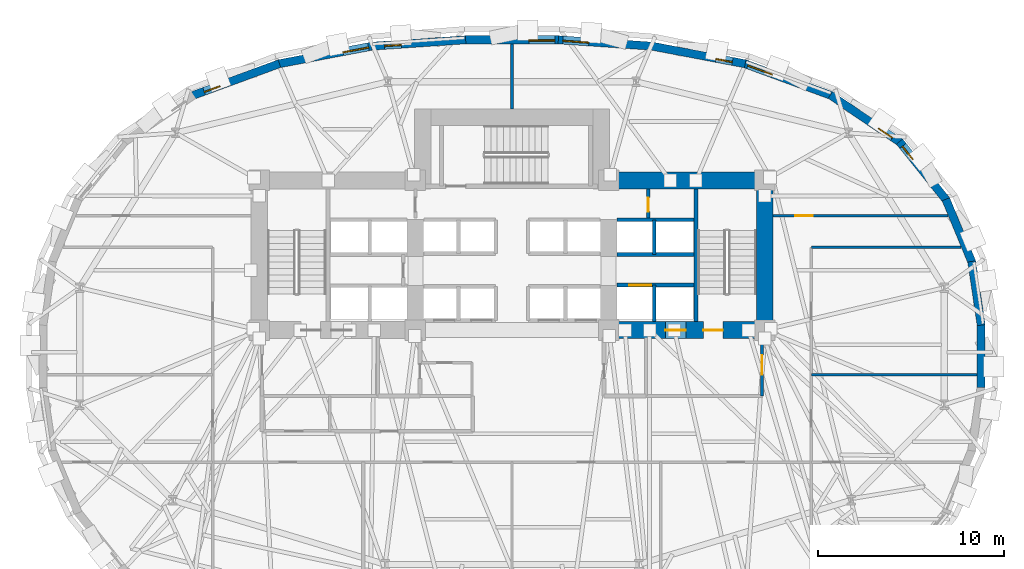
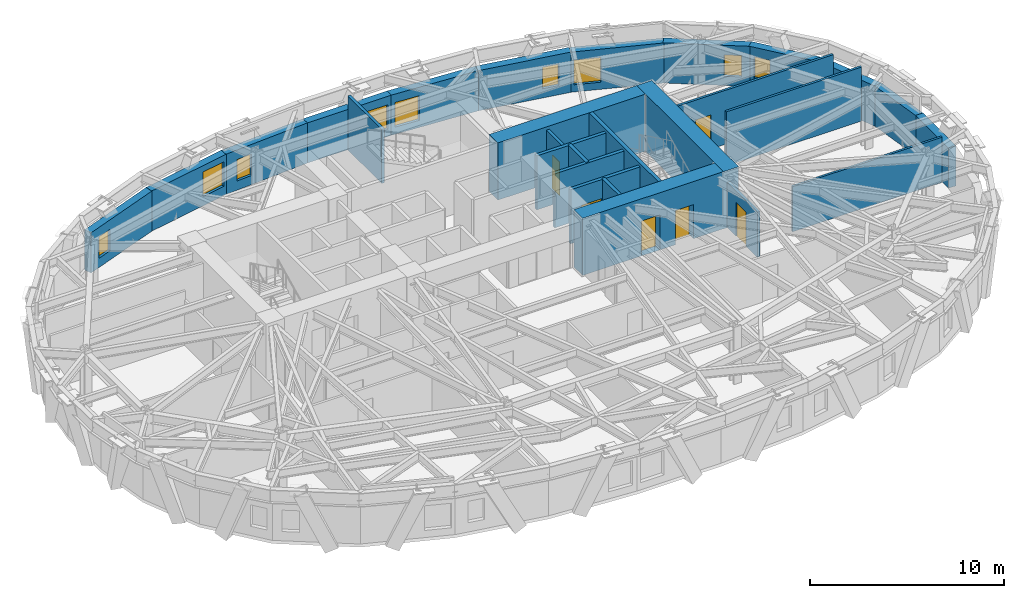
# One storey, part 8 of 13: 27 walls, 9 windows, 6 doors, 15 openings.
"""IFC4 building model written with IfcOpenShell, lengths in metres."""

import ifcopenshell
import ifcopenshell.guid

model = None  # the IFC model being written
_history = None  # IfcOwnerHistory: only IFC2X3 demands one
_inside = {}  # id of a spatial element -> (the spatial element, [elements in it])
_under = {}  # id of a project, library or spatial element -> (it, [spatial elements below it])
_declared = {}  # id of a project -> (the project, [libraries it declares])
_typed = {}  # id of a type object -> (the type object, [elements of that type])
_made_of = {}  # id of a material, layer set ... -> (it, [elements and type objects made of it])


def new_model(schema):
    """Start an empty IFC model of exactly this schema.

    Asked for "IFC4X3", IfcOpenShell would pick the latest addendum, in which some entities
    have other attributes; the version numbers below select the first issue.
    IFC2X3 requires an IfcOwnerHistory on every rooted entity: one is made here for all.
    """
    global model, _history
    if schema == "IFC4X3":
        model = ifcopenshell.file(schema_version=(4, 3, 0, 0))
    else:
        model = ifcopenshell.file(schema=schema)
    _inside.clear()
    _under.clear()
    _declared.clear()
    _typed.clear()
    _made_of.clear()
    _history = None
    if model.schema == "IFC2X3":
        org = make("IfcOrganization", Name="unknown")
        user = make(
            "IfcPersonAndOrganization",
            ThePerson=make("IfcPerson", FamilyName="unknown"),
            TheOrganization=org,
        )
        app = make(
            "IfcApplication",
            ApplicationDeveloper=org,
            Version="unknown",
            ApplicationFullName="unknown",
            ApplicationIdentifier="unknown",
        )
        _history = make(
            "IfcOwnerHistory",
            OwningUser=user,
            OwningApplication=app,
            ChangeAction="ADDED",
            CreationDate=0,
        )
    return model


def make(cls, **values):
    """One entity of the class cls with the attributes given. An attribute that is None is left unset."""
    return model.create_entity(
        cls, **{name: value for name, value in values.items() if value is not None}
    )


def rooted(cls, **values):
    """An entity with a GlobalId (a new one), such as an element, a storey or a relation."""
    return make(cls, GlobalId=ifcopenshell.guid.new(), OwnerHistory=_history, **values)


def si_unit(unit_type, name, prefix=None):
    """IfcSIUnit, for example si_unit("LENGTHUNIT", "METRE", prefix="MILLI")."""
    return make("IfcSIUnit", UnitType=unit_type, Prefix=prefix, Name=name)


def assignment(units):
    """IfcUnitAssignment: the units of a project."""
    return None if units is None else make("IfcUnitAssignment", Units=units)


def point(xyz):
    """IfcCartesianPoint."""
    return None if xyz is None else make("IfcCartesianPoint", Coordinates=xyz)


def direction(xyz):
    """IfcDirection."""
    return None if xyz is None else make("IfcDirection", DirectionRatios=xyz)


def frame(location, z_axis=None, x_axis=None):
    """IfcAxis2Placement3D, a coordinate frame: its origin and axes. An axis left out is left unset."""
    return make(
        "IfcAxis2Placement3D",
        Location=point(location),
        Axis=direction(z_axis),
        RefDirection=direction(x_axis),
    )


def frame_2d(location, x_axis=None):
    """IfcAxis2Placement2D, a coordinate frame in the plane: its origin and x axis."""
    return make(
        "IfcAxis2Placement2D", Location=point(location), RefDirection=direction(x_axis)
    )


def origin():
    """The frame at (0, 0, 0) with its axes left unset."""
    return frame((0.0, 0.0, 0.0))


def place(relative_to, where):
    """IfcLocalPlacement: puts the frame where relative to a parent placement (None: the world)."""
    return make(
        "IfcLocalPlacement", PlacementRelTo=relative_to, RelativePlacement=where
    )


def context(
    kind, dimensions, precision=None, world=None, true_north=None, identifier=None
):
    """IfcGeometricRepresentationContext, for example the 3D "Model" context."""
    return make(
        "IfcGeometricRepresentationContext",
        ContextIdentifier=identifier,
        ContextType=kind,
        CoordinateSpaceDimension=dimensions,
        Precision=precision,
        WorldCoordinateSystem=world,
        TrueNorth=true_north,
    )


def subcontext(parent, identifier, kind, view, scale=None):
    """IfcGeometricRepresentationSubContext, for example "Body" below "Model"."""
    return make(
        "IfcGeometricRepresentationSubContext",
        ContextIdentifier=identifier,
        ContextType=kind,
        ParentContext=parent,
        TargetScale=scale,
        TargetView=view,
    )


def project(units=None, contexts=None):
    """IfcProject with its units and contexts."""
    return rooted(
        "IfcProject",
        Name="project",
        RepresentationContexts=contexts,
        UnitsInContext=assignment(units),
    )


def spatial(cls, under=None, at=None, **own):
    """A site, building, storey or space (cls), placed at a placement, below another one or the project."""
    s = rooted(cls, ObjectPlacement=at, **own)
    if under is not None:
        _under.setdefault(under.id(), (under, []))[1].append(s)
    return s


def profile(cls, at=None, kind="AREA", **sizes):
    """A parametric profile (cls). Its sizes go by their IFC names, for example OverallWidth=200.0."""
    return make(cls, ProfileType=kind, Position=at, **sizes)


def rectangle(**sizes):
    """IfcRectangleProfileDef."""
    return profile("IfcRectangleProfileDef", **sizes)


def extrude(swept, where, along, depth):
    """IfcExtrudedAreaSolid: the profile swept, set in the frame where, extruded along a direction by depth."""
    return make(
        "IfcExtrudedAreaSolid",
        SweptArea=swept,
        Position=where,
        ExtrudedDirection=direction(along),
        Depth=depth,
    )


def shape(context_of_items, identifier, shape_type, items):
    """IfcShapeRepresentation: the items that make up one representation, for example the "Body"."""
    return make(
        "IfcShapeRepresentation",
        ContextOfItems=context_of_items,
        RepresentationIdentifier=identifier,
        RepresentationType=shape_type,
        Items=items,
    )


def material(Name=None, Category=None):
    """IfcMaterial."""
    return make("IfcMaterial", Name=Name, Category=Category)


def layer(
    of_material, thickness, ventilated=None, Name=None, Category=None, Priority=None
):
    """IfcMaterialLayer: one layer of a wall or slab, of a material (None: an air gap)."""
    return make(
        "IfcMaterialLayer",
        Material=of_material,
        LayerThickness=thickness,
        IsVentilated=ventilated,
        Name=Name,
        Category=Category,
        Priority=Priority,
    )


def layer_set(layers, Name=None):
    """IfcMaterialLayerSet."""
    return make("IfcMaterialLayerSet", MaterialLayers=layers, LayerSetName=Name)


def made_of(thing, what):
    """Note that an element or type object is made of a material, layer set ...; save() writes the relation."""
    if what is not None:
        _made_of.setdefault(what.id(), (what, []))[1].append(thing)
    return thing


def type_object(cls, material=None, **own):
    """A type object (cls), such as IfcWallType, which elements share."""
    return made_of(rooted(cls, **own), material)


def element(
    cls,
    number,
    at=None,
    inside=None,
    cuts=None,
    type_object=None,
    material=None,
    context=None,
    identifier="Body",
    shape_type=None,
    held_by="IfcProductDefinitionShape",
    body=None,
    shapes=None,
    **own,
):
    """One element of the class cls, such as IfcWall. Its Tag is "e" and its number.

    at: its placement. inside: the storey or other place that contains it. cuts: it is an
    opening in that element (IfcRelVoidsElement). A single representation is given by context,
    identifier, shape_type and body (its items); several are given by shapes. held_by: the class
    of the entity that holds the representations. save() writes the other relations.
    """
    e = rooted(cls, Tag="e%d" % number, ObjectPlacement=at, **own)
    if body is not None:
        shapes = [shape(context, identifier, shape_type, body)]
    if shapes is not None:
        e.Representation = make(held_by, Representations=shapes)
    if inside is not None:
        _inside.setdefault(inside.id(), (inside, []))[1].append(e)
    if cuts is not None:
        rooted(
            "IfcRelVoidsElement", RelatingBuildingElement=cuts, RelatedOpeningElement=e
        )
    if type_object is not None:
        _typed.setdefault(type_object.id(), (type_object, []))[1].append(e)
    return made_of(e, material)


def fill(opening, filler):
    """IfcRelFillsElement: the door or window that sits in an opening."""
    return rooted(
        "IfcRelFillsElement",
        RelatingOpeningElement=opening,
        RelatedBuildingElement=filler,
    )


def aggregate(whole, parts):
    """IfcRelAggregates: a whole, such as a stair, and the parts it consists of."""
    return rooted("IfcRelAggregates", RelatingObject=whole, RelatedObjects=parts)


def save(model, path):
    """Write the relations noted so far, then the file.

    IfcRelAggregates (storeys below a building ...), IfcRelContainedInSpatialStructure (elements
    in a storey), IfcRelDefinesByType, IfcRelAssociatesMaterial and IfcRelDeclares: one each for
    every whole, place, type object, material and project.
    """
    for whole, parts in _under.values():
        aggregate(whole, parts)
    for where, things in _inside.values():
        rooted(
            "IfcRelContainedInSpatialStructure",
            RelatedElements=things,
            RelatingStructure=where,
        )
    for kind, things in _typed.values():
        rooted("IfcRelDefinesByType", RelatedObjects=things, RelatingType=kind)
    for what, things in _made_of.values():
        rooted("IfcRelAssociatesMaterial", RelatedObjects=things, RelatingMaterial=what)
    for by, libraries in _declared.values():
        rooted("IfcRelDeclares", RelatingContext=by, RelatedDefinitions=libraries)
    model.write(path)


model = new_model("IFC4")

# Units and contexts
model_context = context("Model", 3, precision=1e-05, world=origin(), true_north=direction((0.0, 1.0)))
body_context = subcontext(model_context, "Body", "Model", "MODEL_VIEW")
ifc_project = project(units=[si_unit("LENGTHUNIT", "METRE"), si_unit("AREAUNIT", "SQUARE_METRE"), si_unit("VOLUMEUNIT", "CUBIC_METRE"), si_unit("PLANEANGLEUNIT", "RADIAN"), si_unit("MASSUNIT", "GRAM", prefix="KILO")], contexts=[model_context])

# Site, building, storey
site_placement = place(None, origin())
site = spatial("IfcSite", under=ifc_project, at=site_placement, CompositionType="ELEMENT")
building_placement = place(site_placement, origin())
building = spatial("IfcBuilding", under=site, at=building_placement, Name="Keldmark Tower", CompositionType="ELEMENT")
storey_placement = place(building_placement, frame((0.0, 0.0, 30.60009765625)))
storey = spatial("IfcBuildingStorey", under=building, at=storey_placement, Name="L07", CompositionType="ELEMENT", Elevation=30.60009765625)

# Wall, opening, door
ifc_material_1 = material(Name="Acoustic Double-Layer Gypsum Corridor Partition", Category="gypsum")
ifc_layer_1 = layer(ifc_material_1, 0.139892578125)
ifc_layer_set_1 = layer_set([ifc_layer_1], Name="Acoustic Double-Layer Gypsum Corridor Partition")
wall_type_1 = type_object("IfcWallType", Name="Acoustic Corridor Partition 140 mm", PredefinedType="PARTITIONING", material=ifc_layer_set_1)
wall_1_placement = place(storey_placement, frame((14.050048828125, 7.550048828125, 0.0), z_axis=(0.0, 0.0, 1.0), x_axis=(1.0, 0.0, 0.0)))
wall_1 = element("IfcWall", 1, at=wall_1_placement, inside=storey, type_object=wall_type_1, Name="L07 Acoustic Corridor Partition 140 mm COR-EN-CAP", PredefinedType="PARTITIONING", context=body_context, shape_type="SweptSolid", body=[
    extrude(rectangle(XDim=9.412841796875, YDim=0.139892578125, at=frame_2d((4.70654296875, 0.0))), origin(), (0.0, 0.0, 1.0), 3.39990234375),
])
opening_1_placement = place(wall_1_placement, frame((1.199951171875, 0.0, 0.0)))
opening_1 = element("IfcOpeningElement", 2, at=opening_1_placement, cuts=wall_1, Name="Opening D-EX092", PredefinedType="OPENING", context=body_context, shape_type="SweptSolid", body=[
    extrude(rectangle(XDim=0.919921875, YDim=2.14990234375, at=frame_2d((0.4599609375, 1.074951171875))), frame((0.0, 0.079833984375, 0.0), z_axis=(0.0, -1.0, 0.0), x_axis=(1.0, 0.0, 0.0)), (0.0, 0.0, 1.0), 0.159912109375),
])
ifc_material_2 = material(Name="Flush American Ash Executive Office Door", Category="wood")
door_type_1 = type_object("IfcDoorType", Name="Executive Office Door 920x2150", OperationType="NOTDEFINED", PredefinedType="DOOR", material=ifc_material_2)
door_1_placement = place(opening_1_placement, origin())
door_1 = element("IfcDoor", 3, at=door_1_placement, inside=storey, type_object=door_type_1, Name="L07 Executive Office Door 920x2150 D-NRNE-L07", OperationType="SINGLE_SWING_RIGHT", OverallHeight=2.14990234375, OverallWidth=0.919921875, PredefinedType="DOOR", context=body_context, shape_type="SweptSolid", body=[
    extrude(rectangle(XDim=0.919921875, YDim=2.14990234375, at=frame_2d((0.4599609375, 1.074951171875))), frame((0.0, 0.02490234375, 0.0), z_axis=(0.0, -1.0, 0.0), x_axis=(1.0, 0.0, 0.0)), (0.0, 0.0, 1.0), 0.050048828125),
])
fill(opening_1, door_1)

# Walls
wall_2_placement = place(storey_placement, frame((16.10009765625, 5.85009765625, 0.0), z_axis=(0.0, 0.0, 1.0), x_axis=(1.0, 0.0, 0.0)))
element("IfcWall", 4, at=wall_2_placement, inside=storey, type_object=wall_type_1, Name="L07 Acoustic Corridor Partition 140 mm COR-EA-S", PredefinedType="PARTITIONING", context=body_context, shape_type="SweptSolid", body=[
    extrude(rectangle(XDim=8.065185546875, YDim=0.139892578125, at=frame_2d((4.03271484375, 0.0))), origin(), (0.0, 0.0, 1.0), 3.39990234375),
])
ifc_material_3 = material(Name="STC-58 Insulated Tenant Demising Gypsum Partition", Category="gypsum")
ifc_layer_2 = layer(ifc_material_3, 0.175048828125)
ifc_layer_set_2 = layer_set([ifc_layer_2], Name="STC-58 Insulated Tenant Demising Gypsum Partition")
wall_type_2 = type_object("IfcWallType", Name="Demising Suite Partition 175 mm", PredefinedType="PARTITIONING", material=ifc_layer_set_2)
wall_3_placement = place(storey_placement, frame((0.0, 13.300048828125, 0.0), z_axis=(0.0, 0.0, 1.0), x_axis=(0.0, 1.0, 0.0)))
element("IfcWall", 5, at=wall_3_placement, inside=storey, type_object=wall_type_2, Name="L07 Demising Suite Partition 175 mm N-MID-DIV", PredefinedType="PARTITIONING", context=body_context, shape_type="SweptSolid", body=[
    extrude(rectangle(XDim=3.48974609375, YDim=0.175048828125, at=frame_2d((1.744873046875, 0.0))), origin(), (0.0, 0.0, 1.0), 3.39990234375),
])
ifc_material_4 = material(Name="Acoustic Gypsum Board Interior Partition", Category="gypsum")
ifc_layer_3 = layer(ifc_material_4, 0.1298828125)
ifc_layer_set_3 = layer_set([ifc_layer_3], Name="Acoustic Gypsum Board Interior Partition")
wall_type_3 = type_object("IfcWallType", Name="Interior Partition 130 mm", PredefinedType="PARTITIONING", material=ifc_layer_set_3)
wall_4_placement = place(storey_placement, frame((16.10009765625, -1.0, 0.0), z_axis=(0.0, 0.0, 1.0), x_axis=(1.0, 0.0, 0.0)))
element("IfcWall", 6, at=wall_4_placement, inside=storey, type_object=wall_type_3, Name="L07 Interior Partition 130 mm E-DIV-1", PredefinedType="PARTITIONING", context=body_context, shape_type="SweptSolid", body=[
    extrude(rectangle(XDim=8.9111328125, YDim=0.1298828125, at=frame_2d((4.45556640625, 0.0))), origin(), (0.0, 0.0, 1.0), 2.8408203125),
])
ifc_material_5 = material(Name="Concrete C70/85", Category="concrete")
ifc_layer_4 = layer(ifc_material_5, 0.89990234375)
ifc_layer_set_4 = layer_set([ifc_layer_4], Name="Concrete C70/85")
wall_type_4 = type_object("IfcWallType", Name="Lower Core Shear Wall 900 mm", PredefinedType="SHEAR", material=ifc_layer_set_4)
wall_5_placement = place(storey_placement, frame((13.60009765625, 0.949951171875, 0.0), z_axis=(0.0, 0.0, 1.0), x_axis=(0.0, 1.0, 0.0)))
element("IfcWall", 7, at=wall_5_placement, inside=storey, type_object=wall_type_4, Name="L07 East Core Outer Shear Wall", PredefinedType="SHEAR", context=body_context, shape_type="SweptSolid", body=[
    extrude(rectangle(XDim=8.949951171875, YDim=0.89990234375, at=frame_2d((4.47509765625, 0.0))), origin(), (0.0, 0.0, 1.0), 3.599853515625),
])
wall_6_placement = place(storey_placement, frame((4.35009765625, 9.449951171875, 0.0), z_axis=(0.0, 0.0, 1.0), x_axis=(1.0, 0.0, 0.0)))
element("IfcWall", 8, at=wall_6_placement, inside=storey, type_object=wall_type_4, Name="L07 East Core North Shear Wall", PredefinedType="SHEAR", context=body_context, shape_type="SweptSolid", body=[
    extrude(rectangle(XDim=9.699951171875, YDim=0.89990234375, at=frame_2d((4.85009765625, 0.0))), origin(), (0.0, 0.0, 1.0), 3.599853515625),
])

# Wall, openings, doors
wall_7_placement = place(storey_placement, frame((14.050048828125, 1.39990234375, 0.0), z_axis=(0.0, 0.0, 1.0), x_axis=(-1.0, 0.0, 0.0)))
wall_7 = element("IfcWall", 9, at=wall_7_placement, inside=storey, type_object=wall_type_4, Name="L07 East Core South Shear Wall", PredefinedType="SHEAR", context=body_context, shape_type="SweptSolid", body=[
    extrude(rectangle(XDim=9.300048828125, YDim=0.89990234375, at=frame_2d((4.64990234375, 0.0))), origin(), (0.0, 0.0, 1.0), 3.599853515625),
])
opening_2_placement = place(wall_7_placement, frame((2.699951171875, 0.0, 0.0)))
opening_2 = element("IfcOpeningElement", 10, at=opening_2_placement, cuts=wall_7, Name="Opening D-ST105", PredefinedType="OPENING", context=body_context, shape_type="SweptSolid", body=[
    extrude(rectangle(XDim=1.050048828125, YDim=2.14990234375, at=frame_2d((0.52490234375, 1.074951171875))), frame((0.0, 0.4599609375, 0.0), z_axis=(0.0, -1.0, 0.0), x_axis=(1.0, 0.0, 0.0)), (0.0, 0.0, 1.0), 0.919921875),
])
opening_3_placement = place(wall_7_placement, frame((4.699951171875, 0.0, 0.0)))
opening_3 = element("IfcOpeningElement", 11, at=opening_3_placement, cuts=wall_7, Name="Opening LD-110", PredefinedType="OPENING", context=body_context, shape_type="SweptSolid", body=[
    extrude(rectangle(XDim=1.10009765625, YDim=2.199951171875, at=frame_2d((0.550048828125, 1.10009765625))), frame((0.0, 0.4599609375, 0.0), z_axis=(0.0, -1.0, 0.0), x_axis=(1.0, 0.0, 0.0)), (0.0, 0.0, 1.0), 0.919921875),
])
ifc_material_6 = material(Name="Brushed Bronze Hoistway Sliding Leaf", Category="metal")
door_type_2 = type_object("IfcDoorType", Name="Lift Landing Sliding Door 1100x2200", OperationType="SLIDING_TO_LEFT", PredefinedType="DOOR", material=ifc_material_6)
door_2_placement = place(opening_3_placement, origin())
door_2 = element("IfcDoor", 12, at=door_2_placement, inside=storey, type_object=door_type_2, Name="L07 Lift Landing Sliding Door 1100x2200 LD-EL-FS2-L07", OperationType="SLIDING_TO_LEFT", OverallHeight=2.199951171875, OverallWidth=1.10009765625, PredefinedType="DOOR", context=body_context, shape_type="SweptSolid", body=[
    extrude(rectangle(XDim=1.10009765625, YDim=2.199951171875, at=frame_2d((0.550048828125, 1.10009765625))), frame((0.0, 0.02490234375, 0.0), z_axis=(0.0, -1.0, 0.0), x_axis=(1.0, 0.0, 0.0)), (0.0, 0.0, 1.0), 0.050048828125),
])
fill(opening_3, door_2)
ifc_material_7 = material(Name="Hollow Metal Fire-Rated Door Assembly", Category="metal")
door_type_3 = type_object("IfcDoorType", Name="Stair Fire Door 1050x2150", OperationType="NOTDEFINED", PredefinedType="DOOR", material=ifc_material_7)
door_3_placement = place(opening_2_placement, origin())
door_3 = element("IfcDoor", 13, at=door_3_placement, inside=storey, type_object=door_type_3, Name="L07 Stair Fire Door 1050x2150 D-ST2-L07", OperationType="SINGLE_SWING_LEFT", OverallHeight=2.14990234375, OverallWidth=1.050048828125, PredefinedType="DOOR", context=body_context, shape_type="SweptSolid", body=[
    extrude(rectangle(XDim=1.050048828125, YDim=2.14990234375, at=frame_2d((0.52490234375, 1.074951171875))), frame((0.0, 0.02490234375, 0.0), z_axis=(0.0, -1.0, 0.0), x_axis=(1.0, 0.0, 0.0)), (0.0, 0.0, 1.0), 0.050048828125),
])
fill(opening_2, door_3)

# Wall, opening, door
ifc_material_8 = material(Name="Type X Fire-Rated Gypsum Partition Assembly", Category="gypsum")
ifc_layer_5 = layer(ifc_material_8, 0.1650390625)
ifc_layer_set_5 = layer_set([ifc_layer_5], Name="Type X Fire-Rated Gypsum Partition Assembly")
wall_type_5 = type_object("IfcWallType", Name="Rated Partition 165 mm", PredefinedType="PARTITIONING", material=ifc_layer_set_5)
wall_8_placement = place(storey_placement, frame((13.449951171875, -2.14990234375, 0.0), z_axis=(0.0, 0.0, 1.0), x_axis=(0.0, 1.0, 0.0)))
wall_8 = element("IfcWall", 14, at=wall_8_placement, inside=storey, type_object=wall_type_5, Name="L07 Rated Partition 165 mm FSAE-E-E", PredefinedType="PARTITIONING", context=body_context, shape_type="SweptSolid", body=[
    extrude(rectangle(XDim=3.14990234375, YDim=0.1650390625, at=frame_2d((1.574951171875, 0.0))), origin(), (0.0, 0.0, 1.0), 2.852783203125),
])
opening_4_placement = place(wall_8_placement, frame((1.14990234375, 0.0, 0.0)))
opening_4 = element("IfcOpeningElement", 15, at=opening_4_placement, cuts=wall_8, Name="Opening D-FL105", PredefinedType="OPENING", context=body_context, shape_type="SweptSolid", body=[
    extrude(rectangle(XDim=1.050048828125, YDim=2.14990234375, at=frame_2d((0.52490234375, 1.074951171875))), frame((0.0, 0.092529296875, 0.0), z_axis=(0.0, -1.0, 0.0), x_axis=(1.0, 0.0, 0.0)), (0.0, 0.0, 1.0), 0.18505859375),
])
ifc_material_9 = material(Name="Fire-Rated Mineral-Core Door and Vision Lite", Category="metal")
door_type_4 = type_object("IfcDoorType", Name="Fire Lobby Door 1050x2150", OperationType="NOTDEFINED", PredefinedType="DOOR", material=ifc_material_9)
door_4_placement = place(opening_4_placement, origin())
door_4 = element("IfcDoor", 16, at=door_4_placement, inside=storey, type_object=door_type_4, Name="L07 Fire Lobby Door 1050x2150 D-FSAEE-OUT-L07", OperationType="SINGLE_SWING_LEFT", OverallHeight=2.14990234375, OverallWidth=1.050048828125, PredefinedType="DOOR", context=body_context, shape_type="SweptSolid", body=[
    extrude(rectangle(XDim=1.050048828125, YDim=2.14990234375, at=frame_2d((0.52490234375, 1.074951171875))), frame((0.0, 0.02490234375, 0.0), z_axis=(0.0, -1.0, 0.0), x_axis=(1.0, 0.0, 0.0)), (0.0, 0.0, 1.0), 0.050048828125),
])
fill(opening_4, door_4)

wall_9_placement = place(storey_placement, frame((7.330078125, 7.419921875, 0.0), z_axis=(0.0, 0.0, 1.0), x_axis=(0.0, 1.0, 0.0)))
wall_9 = element("IfcWall", 17, at=wall_9_placement, inside=storey, type_object=wall_type_5, Name="L07 Rated Partition 165 mm CS-NE-W", PredefinedType="PARTITIONING", context=body_context, shape_type="SweptSolid", body=[
    extrude(rectangle(XDim=1.580078125, YDim=0.1650390625, at=frame_2d((0.7900390625, 0.0))), origin(), (0.0, 0.0, 1.0), 3.39990234375),
])
opening_5_placement = place(wall_9_placement, frame((0.35009765625, 0.0, 0.0)))
opening_5 = element("IfcOpeningElement", 18, at=opening_5_placement, cuts=wall_9, Name="Opening D-RS075", PredefinedType="OPENING", context=body_context, shape_type="SweptSolid", body=[
    extrude(rectangle(XDim=0.75, YDim=2.10009765625, at=frame_2d((0.375, 1.050048828125))), frame((0.0, 0.092529296875, 0.0), z_axis=(0.0, -1.0, 0.0), x_axis=(1.0, 0.0, 0.0)), (0.0, 0.0, 1.0), 0.18505859375),
])
ifc_material_10 = material(Name="Galvanized Fire-Rated Access Leaf", Category="metal")
door_type_5 = type_object("IfcDoorType", Name="Riser Access Door 750x2100", OperationType="NOTDEFINED", PredefinedType="DOOR", material=ifc_material_10)
door_5_placement = place(opening_5_placement, origin())
door_5 = element("IfcDoor", 19, at=door_5_placement, inside=storey, type_object=door_type_5, Name="L07 Riser Access Door 750x2100 D-CSNE1-L07", OperationType="SINGLE_SWING_RIGHT", OverallHeight=2.10009765625, OverallWidth=0.75, PredefinedType="DOOR", context=body_context, shape_type="SweptSolid", body=[
    extrude(rectangle(XDim=0.75, YDim=2.10009765625, at=frame_2d((0.375, 1.050048828125))), frame((0.0, 0.02490234375, 0.0), z_axis=(0.0, -1.0, 0.0), x_axis=(1.0, 0.0, 0.0)), (0.0, 0.0, 1.0), 0.050048828125),
])
fill(opening_5, door_5)

ifc_material_11 = material(Name="Fire-Resistant Type X Gypsum Shaftliner Coreboard", Category="gypsum")
ifc_layer_6 = layer(ifc_material_11, 0.199951171875)
ifc_layer_set_6 = layer_set([ifc_layer_6], Name="Fire-Resistant Type X Gypsum Shaftliner Coreboard")
wall_type_6 = type_object("IfcWallType", Name="Shaft Wall 200 mm", PredefinedType="SOLIDWALL", material=ifc_layer_set_6)
wall_10_placement = place(storey_placement, frame((5.64990234375, 3.820068359375, 0.0), z_axis=(0.0, 0.0, 1.0), x_axis=(1.0, 0.0, 0.0)))
wall_10 = element("IfcWall", 20, at=wall_10_placement, inside=storey, type_object=wall_type_6, Name="L07 Shaft Wall 200 mm HW-E-S", PredefinedType="SOLIDWALL", context=body_context, shape_type="SweptSolid", body=[
    extrude(rectangle(XDim=4.130126953125, YDim=0.199951171875, at=frame_2d((2.06494140625, 0.0))), origin(), (0.0, 0.0, 1.0), 3.39990234375),
])
opening_6_placement = place(wall_10_placement, frame((0.64990234375, 0.0, 0.0)))
opening_6 = element("IfcOpeningElement", 21, at=opening_6_placement, cuts=wall_10, Name="Opening LD-120", PredefinedType="OPENING", context=body_context, shape_type="SweptSolid", body=[
    extrude(rectangle(XDim=1.199951171875, YDim=2.199951171875, at=frame_2d((0.60009765625, 1.10009765625))), frame((0.0, 0.10986328125, 0.0), z_axis=(0.0, -1.0, 0.0), x_axis=(1.0, 0.0, 0.0)), (0.0, 0.0, 1.0), 0.219970703125),
])
ifc_material_12 = material(Name="Heavy-Duty Brushed Metal Hoistway Sliding Leaf", Category="metal")
door_type_6 = type_object("IfcDoorType", Name="Service Lift Sliding Door 1200x2200", OperationType="SLIDING_TO_RIGHT", PredefinedType="DOOR", material=ifc_material_12)
door_6_placement = place(opening_6_placement, origin())
door_6 = element("IfcDoor", 22, at=door_6_placement, inside=storey, type_object=door_type_6, Name="L07 Service Lift Sliding Door 1200x2200 LD-EL-SV1-L07", OperationType="SLIDING_TO_RIGHT", OverallHeight=2.199951171875, OverallWidth=1.199951171875, PredefinedType="DOOR", context=body_context, shape_type="SweptSolid", body=[
    extrude(rectangle(XDim=1.199951171875, YDim=2.199951171875, at=frame_2d((0.60009765625, 1.10009765625))), frame((0.0, 0.02490234375, 0.0), z_axis=(0.0, -1.0, 0.0), x_axis=(1.0, 0.0, 0.0)), (0.0, 0.0, 1.0), 0.050048828125),
])
fill(opening_6, door_6)

# Walls
wall_11_placement = place(storey_placement, frame((7.64990234375, 1.85009765625, 0.0), z_axis=(0.0, 0.0, 1.0), x_axis=(0.0, 1.0, 0.0)))
element("IfcWall", 23, at=wall_11_placement, inside=storey, type_object=wall_type_6, Name="L07 Shaft Wall 200 mm HW-E-M", PredefinedType="SOLIDWALL", context=body_context, shape_type="SweptSolid", body=[
    extrude(rectangle(XDim=1.969970703125, YDim=0.199951171875, at=frame_2d((0.98486328125, 0.0))), origin(), (0.0, 0.0, 1.0), 3.39990234375),
])
for number, where, z_axis, x_axis, name in (
    (24, (5.64990234375, 5.469970703125, 0.0), (0.0, 0.0, 1.0), (1.0, 0.0, 0.0), "L07 Shaft Wall 200 mm HW-E-N"),
    (25, (5.64990234375, 7.330078125, 0.0), (0.0, 0.0, 1.0), (1.0, 0.0, 0.0), "L07 Shaft Wall 200 mm HW-E-TOP"),
):
    element("IfcWall", number, at=place(storey_placement, frame(where, z_axis=z_axis, x_axis=x_axis)), inside=storey, type_object=wall_type_6, Name=name, PredefinedType="SOLIDWALL", context=body_context, shape_type="SweptSolid", body=[
        extrude(rectangle(XDim=4.130126953125, YDim=0.199951171875, at=frame_2d((2.06494140625, 0.0))), origin(), (0.0, 0.0, 1.0), 3.39990234375),
    ])
wall_12_placement = place(storey_placement, frame((7.64990234375, 5.469970703125, 0.0), z_axis=(0.0, 0.0, 1.0), x_axis=(0.0, 1.0, 0.0)))
element("IfcWall", 26, at=wall_12_placement, inside=storey, type_object=wall_type_6, Name="L07 Shaft Wall 200 mm HW-E-NM", PredefinedType="SOLIDWALL", context=body_context, shape_type="SweptSolid", body=[
    extrude(rectangle(XDim=1.860107421875, YDim=0.199951171875, at=frame_2d((0.93017578125, 0.0))), origin(), (0.0, 0.0, 1.0), 3.39990234375),
])
ifc_material_13 = material(Name="Concrete C50/60", Category="concrete")
ifc_layer_7 = layer(ifc_material_13, 0.219970703125)
ifc_layer_set_7 = layer_set([ifc_layer_7], Name="Concrete C50/60")
wall_type_7 = type_object("IfcWallType", Name="Stair Core Shear Wall 220 mm", PredefinedType="SHEAR", material=ifc_layer_set_7)
wall_13_placement = place(storey_placement, frame((9.889892578125, 1.85009765625, 0.0), z_axis=(0.0, 0.0, 1.0), x_axis=(0.0, 1.0, 0.0)))
element("IfcWall", 27, at=wall_13_placement, inside=storey, type_object=wall_type_7, Name="L07 East Stair Core Shear Wall", PredefinedType="SHEAR", context=body_context, shape_type="SweptSolid", body=[
    extrude(rectangle(XDim=7.14990234375, YDim=0.219970703125, at=frame_2d((3.574951171875, 0.0))), origin(), (0.0, 0.0, 1.0), 3.599853515625),
])
ifc_material_14 = material(Name="Ironspot Manganese Brick and Kasota Buff Limestone Spandrel Assembly", Category="masonry")
ifc_layer_8 = layer(ifc_material_14, 0.43994140625)
ifc_layer_set_8 = layer_set([ifc_layer_8], Name="Ironspot Manganese Brick and Kasota Buff Limestone Spandrel Assembly")
wall_type_8 = type_object("IfcWallType", Name="Tower Brick Pier and Spandrel Wall 440 mm", PredefinedType="STANDARD", material=ifc_layer_set_8)
wall_14_placement = place(storey_placement, frame((24.732421875, 5.09228515625, 0.0), z_axis=(0.0, 0.0, 1.0), x_axis=(0.147003256829, -0.989136008081, 0.0)))
element("IfcWall", 28, at=wall_14_placement, inside=storey, type_object=wall_type_8, Name="L07 Exterior Brick and Spandrel Wall 01", PredefinedType="STANDARD", context=body_context, shape_type="SweptSolid", body=[
    extrude(rectangle(XDim=3.46435546875, YDim=0.43994140625, at=frame_2d((1.732177734375, 0.0))), origin(), (0.0, 0.0, 1.0), 2.532958984375),
])
wall_15_placement = place(storey_placement, frame((23.3427734375, 8.4375, 0.0), z_axis=(0.0, 0.0, 1.0), x_axis=(0.381925438614, -0.92419313963, 0.0)))
element("IfcWall", 29, at=wall_15_placement, inside=storey, type_object=wall_type_8, Name="L07 Exterior Brick and Spandrel Wall 02", PredefinedType="STANDARD", context=body_context, shape_type="SweptSolid", body=[
    extrude(rectangle(XDim=3.675537109375, YDim=0.43994140625, at=frame_2d((1.837890625, 0.0))), origin(), (0.0, 0.0, 1.0), 2.532958984375),
])

# Wall, opening, window
wall_16_placement = place(storey_placement, frame((20.845703125, 11.541015625, 0.0), z_axis=(0.0, 0.0, 1.0), x_axis=(0.625180729177, -0.780480016314, 0.0)))
wall_16 = element("IfcWall", 30, at=wall_16_placement, inside=storey, type_object=wall_type_8, Name="L07 Exterior Brick and Spandrel Wall 03", PredefinedType="STANDARD", context=body_context, shape_type="SweptSolid", body=[
    extrude(rectangle(XDim=4.044921875, YDim=0.43994140625, at=frame_2d((2.0224609375, 0.0))), origin(), (0.0, 0.0, 1.0), 2.532958984375),
])
opening_7_placement = place(wall_16_placement, frame((0.2998046875, 0.0, 0.580078125)))
opening_7 = element("IfcOpeningElement", 31, at=opening_7_placement, cuts=wall_16, Name="Opening W-09", PredefinedType="OPENING", context=body_context, shape_type="SweptSolid", body=[
    extrude(rectangle(XDim=0.89990234375, YDim=1.35009765625, at=frame_2d((0.449951171875, 0.675048828125))), frame((0.0, 0.22998046875, 0.0), z_axis=(0.0, -1.0, 0.0), x_axis=(1.0, 0.0, 0.0)), (0.0, 0.0, 1.0), 0.4599609375),
])
ifc_material_15 = material(Name="Thermally Broken Anodized Aluminum and Triple Low-E Argon Glazing", Category="aluminium")
window_type_1 = type_object("IfcWindowType", Name="Corner Pier Deep-Set Window 900x1350", PartitioningType="SINGLE_PANEL", PredefinedType="WINDOW", material=ifc_material_15)
window_1_placement = place(opening_7_placement, origin())
window_1 = element("IfcWindow", 32, at=window_1_placement, inside=storey, type_object=window_type_1, Name="L07 Deep-Set Window 03", OverallHeight=1.35009765625, OverallWidth=0.89990234375, PartitioningType="SINGLE_PANEL", PredefinedType="WINDOW", context=body_context, shape_type="SweptSolid", body=[
    extrude(rectangle(XDim=0.89990234375, YDim=1.35009765625, at=frame_2d((0.449951171875, 0.675048828125))), frame((0.0, -0.010009765625, 0.0), z_axis=(0.0, -1.0, 0.0), x_axis=(1.0, 0.0, 0.0)), (0.0, 0.0, 1.0), 0.06005859375),
])
fill(opening_7, window_1)

wall_17_placement = place(storey_placement, frame((17.125244140625, 14.048095703125, 0.0), z_axis=(0.0, 0.0, 1.0), x_axis=(0.828051238664, -0.560652429003, 0.0)))
wall_17 = element("IfcWall", 33, at=wall_17_placement, inside=storey, type_object=wall_type_8, Name="L07 Exterior Brick and Spandrel Wall 04", PredefinedType="STANDARD", context=body_context, shape_type="SweptSolid", body=[
    extrude(rectangle(XDim=4.551513671875, YDim=0.43994140625, at=frame_2d((2.27587890625, 0.0))), origin(), (0.0, 0.0, 1.0), 2.532958984375),
])
opening_8_placement = place(wall_17_placement, frame((3.156005859375, 0.0, 0.580078125)))
opening_8 = element("IfcOpeningElement", 34, at=opening_8_placement, cuts=wall_17, Name="Opening W-09", PredefinedType="OPENING", context=body_context, shape_type="SweptSolid", body=[
    extrude(rectangle(XDim=0.89990234375, YDim=1.35009765625, at=frame_2d((0.449951171875, 0.675048828125))), frame((0.0, 0.22998046875, 0.0), z_axis=(0.0, -1.0, 0.0), x_axis=(1.0, 0.0, 0.0)), (0.0, 0.0, 1.0), 0.4599609375),
])
window_2_placement = place(opening_8_placement, origin())
window_2 = element("IfcWindow", 35, at=window_2_placement, inside=storey, type_object=window_type_1, Name="L07 Deep-Set Window 04", OverallHeight=1.35009765625, OverallWidth=0.89990234375, PartitioningType="SINGLE_PANEL", PredefinedType="WINDOW", context=body_context, shape_type="SweptSolid", body=[
    extrude(rectangle(XDim=0.89990234375, YDim=1.35009765625, at=frame_2d((0.449951171875, 0.675048828125))), frame((0.0, -0.010009765625, 0.0), z_axis=(0.0, -1.0, 0.0), x_axis=(1.0, 0.0, 0.0)), (0.0, 0.0, 1.0), 0.06005859375),
])
fill(opening_8, window_2)

wall_18_placement = place(storey_placement, frame((12.510009765625, 15.736083984375, 0.0), z_axis=(0.0, 0.0, 1.0), x_axis=(0.938710986641, -0.344705212552, 0.0)))
wall_18 = element("IfcWall", 36, at=wall_18_placement, inside=storey, type_object=wall_type_8, Name="L07 Exterior Brick and Spandrel Wall 05", PredefinedType="STANDARD", context=body_context, shape_type="SweptSolid", body=[
    extrude(rectangle(XDim=4.967041015625, YDim=0.43994140625, at=frame_2d((2.4833984375, 0.0))), origin(), (0.0, 0.0, 1.0), 2.52880859375),
])
opening_9_placement = place(wall_18_placement, frame((0.199951171875, 0.0, 0.449951171875)))
opening_9 = element("IfcOpeningElement", 37, at=opening_9_placement, cuts=wall_18, Name="Opening W-08", PredefinedType="OPENING", context=body_context, shape_type="SweptSolid", body=[
    extrude(rectangle(XDim=1.39990234375, YDim=1.550048828125, at=frame_2d((0.699951171875, 0.77490234375))), frame((0.0, 0.22998046875, 0.0), z_axis=(0.0, -1.0, 0.0), x_axis=(1.0, 0.0, 0.0)), (0.0, 0.0, 1.0), 0.4599609375),
])
ifc_material_16 = material(Name="Thermally Broken Anodized Aluminum and Triple Low-E Argon Glazing", Category="aluminium")
window_type_2 = type_object("IfcWindowType", Name="Residential Corner Punched Window 1400x1550", PartitioningType="SINGLE_PANEL", PredefinedType="WINDOW", material=ifc_material_16)
window_3_placement = place(opening_9_placement, origin())
window_3 = element("IfcWindow", 38, at=window_3_placement, inside=storey, type_object=window_type_2, Name="L07 Deep-Set Window 05", OverallHeight=1.550048828125, OverallWidth=1.39990234375, PartitioningType="SINGLE_PANEL", PredefinedType="WINDOW", context=body_context, shape_type="SweptSolid", body=[
    extrude(rectangle(XDim=1.39990234375, YDim=1.550048828125, at=frame_2d((0.699951171875, 0.77490234375))), frame((0.0, -0.010009765625, 0.0), z_axis=(0.0, -1.0, 0.0), x_axis=(1.0, 0.0, 0.0)), (0.0, 0.0, 1.0), 0.06005859375),
])
fill(opening_9, window_3)

wall_19_placement = place(storey_placement, frame((7.527587890625, 16.677001953125, 0.0), z_axis=(0.0, 0.0, 1.0), x_axis=(0.982516391845, -0.186176098776, 0.0)))
wall_19 = element("IfcWall", 39, at=wall_19_placement, inside=storey, type_object=wall_type_8, Name="L07 Exterior Brick and Spandrel Wall 06", PredefinedType="STANDARD", context=body_context, shape_type="SweptSolid", body=[
    extrude(rectangle(XDim=5.1064453125, YDim=0.43994140625, at=frame_2d((2.55322265625, 0.0))), origin(), (0.0, 0.0, 1.0), 2.532958984375),
])
opening_10_placement = place(wall_19_placement, frame((3.51220703125, 0.0, 0.580078125)))
opening_10 = element("IfcOpeningElement", 40, at=opening_10_placement, cuts=wall_19, Name="Opening W-09", PredefinedType="OPENING", context=body_context, shape_type="SweptSolid", body=[
    extrude(rectangle(XDim=0.89990234375, YDim=1.35009765625, at=frame_2d((0.449951171875, 0.675048828125))), frame((0.0, 0.22998046875, 0.0), z_axis=(0.0, -1.0, 0.0), x_axis=(1.0, 0.0, 0.0)), (0.0, 0.0, 1.0), 0.4599609375),
])
window_4_placement = place(opening_10_placement, origin())
window_4 = element("IfcWindow", 41, at=window_4_placement, inside=storey, type_object=window_type_1, Name="L07 Deep-Set Window 06", OverallHeight=1.35009765625, OverallWidth=0.89990234375, PartitioningType="SINGLE_PANEL", PredefinedType="WINDOW", context=body_context, shape_type="SweptSolid", body=[
    extrude(rectangle(XDim=0.89990234375, YDim=1.35009765625, at=frame_2d((0.449951171875, 0.675048828125))), frame((0.0, -0.010009765625, 0.0), z_axis=(0.0, -1.0, 0.0), x_axis=(1.0, 0.0, 0.0)), (0.0, 0.0, 1.0), 0.06005859375),
])
fill(opening_10, window_4)

wall_20_placement = place(storey_placement, frame((2.492431640625, 17.018310546875, 0.0), z_axis=(0.0, 0.0, 1.0), x_axis=(0.997688292846, -0.067956385408, 0.0)))
wall_20 = element("IfcWall", 42, at=wall_20_placement, inside=storey, type_object=wall_type_8, Name="L07 Exterior Brick and Spandrel Wall 07", PredefinedType="STANDARD", context=body_context, shape_type="SweptSolid", body=[
    extrude(rectangle(XDim=5.07275390625, YDim=0.43994140625, at=frame_2d((2.536376953125, 0.0))), origin(), (0.0, 0.0, 1.0), 2.532958984375),
])
opening_11_placement = place(wall_20_placement, frame((0.24951171875, 0.0, 0.449951171875)))
opening_11 = element("IfcOpeningElement", 43, at=opening_11_placement, cuts=wall_20, Name="Opening W-08", PredefinedType="OPENING", context=body_context, shape_type="SweptSolid", body=[
    extrude(rectangle(XDim=1.39990234375, YDim=1.550048828125, at=frame_2d((0.699951171875, 0.77490234375))), frame((0.0, 0.22998046875, 0.0), z_axis=(0.0, -1.0, 0.0), x_axis=(1.0, 0.0, 0.0)), (0.0, 0.0, 1.0), 0.4599609375),
])
window_5_placement = place(opening_11_placement, origin())
window_5 = element("IfcWindow", 44, at=window_5_placement, inside=storey, type_object=window_type_2, Name="L07 Deep-Set Window 07", OverallHeight=1.550048828125, OverallWidth=1.39990234375, PartitioningType="SINGLE_PANEL", PredefinedType="WINDOW", context=body_context, shape_type="SweptSolid", body=[
    extrude(rectangle(XDim=1.39990234375, YDim=1.550048828125, at=frame_2d((0.699951171875, 0.77490234375))), frame((0.0, -0.010009765625, 0.0), z_axis=(0.0, -1.0, 0.0), x_axis=(1.0, 0.0, 0.0)), (0.0, 0.0, 1.0), 0.06005859375),
])
fill(opening_11, window_5)

wall_21_placement = place(storey_placement, frame((-2.507568359375, 17.017822265625, 0.0), z_axis=(0.0, 0.0, 1.0), x_axis=(1.0, 0.0, 0.0)))
wall_21 = element("IfcWall", 45, at=wall_21_placement, inside=storey, type_object=wall_type_8, Name="L07 Exterior Brick and Spandrel Wall 08", PredefinedType="STANDARD", context=body_context, shape_type="SweptSolid", body=[
    extrude(rectangle(XDim=5.01513671875, YDim=0.43994140625, at=frame_2d((2.507568359375, 0.0))), origin(), (0.0, 0.0, 1.0), 2.532958984375),
])
opening_12_placement = place(wall_21_placement, frame((3.4150390625, 0.0, 0.449951171875)))
opening_12 = element("IfcOpeningElement", 46, at=opening_12_placement, cuts=wall_21, Name="Opening W-08", PredefinedType="OPENING", context=body_context, shape_type="SweptSolid", body=[
    extrude(rectangle(XDim=1.39990234375, YDim=1.550048828125, at=frame_2d((0.699951171875, 0.77490234375))), frame((0.0, 0.22998046875, 0.0), z_axis=(0.0, -1.0, 0.0), x_axis=(1.0, 0.0, 0.0)), (0.0, 0.0, 1.0), 0.4599609375),
])
window_6_placement = place(opening_12_placement, origin())
window_6 = element("IfcWindow", 47, at=window_6_placement, inside=storey, type_object=window_type_2, Name="L07 Deep-Set Window 08", OverallHeight=1.550048828125, OverallWidth=1.39990234375, PartitioningType="SINGLE_PANEL", PredefinedType="WINDOW", context=body_context, shape_type="SweptSolid", body=[
    extrude(rectangle(XDim=1.39990234375, YDim=1.550048828125, at=frame_2d((0.699951171875, 0.77490234375))), frame((0.0, -0.010009765625, 0.0), z_axis=(0.0, -1.0, 0.0), x_axis=(1.0, 0.0, 0.0)), (0.0, 0.0, 1.0), 0.06005859375),
])
fill(opening_12, window_6)

wall_22_placement = place(storey_placement, frame((-7.553466796875, 16.673583984375, 0.0), z_axis=(0.0, 0.0, 1.0), x_axis=(0.997688292846, 0.067956385408, 0.0)))
wall_22 = element("IfcWall", 48, at=wall_22_placement, inside=storey, type_object=wall_type_8, Name="L07 Exterior Brick and Spandrel Wall 09", PredefinedType="STANDARD", context=body_context, shape_type="SweptSolid", body=[
    extrude(rectangle(XDim=5.07275390625, YDim=0.43994140625, at=frame_2d((2.536376953125, 0.0))), origin(), (0.0, 0.0, 1.0), 2.532958984375),
])
opening_13_placement = place(wall_22_placement, frame((0.6962890625, 0.0, 0.580078125)))
opening_13 = element("IfcOpeningElement", 49, at=opening_13_placement, cuts=wall_22, Name="Opening W-09", PredefinedType="OPENING", context=body_context, shape_type="SweptSolid", body=[
    extrude(rectangle(XDim=0.89990234375, YDim=1.35009765625, at=frame_2d((0.449951171875, 0.675048828125))), frame((0.0, 0.22998046875, 0.0), z_axis=(0.0, -1.0, 0.0), x_axis=(1.0, 0.0, 0.0)), (0.0, 0.0, 1.0), 0.4599609375),
])
window_7_placement = place(opening_13_placement, origin())
window_7 = element("IfcWindow", 50, at=window_7_placement, inside=storey, type_object=window_type_1, Name="L07 Deep-Set Window 09", OverallHeight=1.35009765625, OverallWidth=0.89990234375, PartitioningType="SINGLE_PANEL", PredefinedType="WINDOW", context=body_context, shape_type="SweptSolid", body=[
    extrude(rectangle(XDim=0.89990234375, YDim=1.35009765625, at=frame_2d((0.449951171875, 0.675048828125))), frame((0.0, -0.010009765625, 0.0), z_axis=(0.0, -1.0, 0.0), x_axis=(1.0, 0.0, 0.0)), (0.0, 0.0, 1.0), 0.06005859375),
])
fill(opening_13, window_7)

wall_23_placement = place(storey_placement, frame((-12.544677734375, 15.726318359375, 0.0), z_axis=(0.0, 0.0, 1.0), x_axis=(0.982516391845, 0.186176098776, 0.0)))
wall_23 = element("IfcWall", 51, at=wall_23_placement, inside=storey, type_object=wall_type_8, Name="L07 Exterior Brick and Spandrel Wall 10", PredefinedType="STANDARD", context=body_context, shape_type="SweptSolid", body=[
    extrude(rectangle(XDim=5.1064453125, YDim=0.43994140625, at=frame_2d((2.55322265625, 0.0))), origin(), (0.0, 0.0, 1.0), 2.532958984375),
])
opening_14_placement = place(wall_23_placement, frame((3.50634765625, 0.0, 0.580078125)))
opening_14 = element("IfcOpeningElement", 52, at=opening_14_placement, cuts=wall_23, Name="Opening W-08", PredefinedType="OPENING", context=body_context, shape_type="SweptSolid", body=[
    extrude(rectangle(XDim=1.39990234375, YDim=1.550048828125, at=frame_2d((0.699951171875, 0.77490234375))), frame((0.0, 0.22998046875, 0.0), z_axis=(0.0, -1.0, 0.0), x_axis=(1.0, 0.0, 0.0)), (0.0, 0.0, 1.0), 0.4599609375),
])
window_8_placement = place(opening_14_placement, origin())
window_8 = element("IfcWindow", 53, at=window_8_placement, inside=storey, type_object=window_type_2, Name="L07 Deep-Set Window 10", OverallHeight=1.550048828125, OverallWidth=1.39990234375, PartitioningType="SINGLE_PANEL", PredefinedType="WINDOW", context=body_context, shape_type="SweptSolid", body=[
    extrude(rectangle(XDim=1.39990234375, YDim=1.550048828125, at=frame_2d((0.699951171875, 0.77490234375))), frame((0.0, -0.010009765625, 0.0), z_axis=(0.0, -1.0, 0.0), x_axis=(1.0, 0.0, 0.0)), (0.0, 0.0, 1.0), 0.06005859375),
])
fill(opening_14, window_8)

wall_24_placement = place(storey_placement, frame((-17.172607421875, 14.02392578125, 0.0), z_axis=(0.0, 0.0, 1.0), x_axis=(0.938710986641, 0.344705212552, 0.0)))
wall_24 = element("IfcWall", 54, at=wall_24_placement, inside=storey, type_object=wall_type_8, Name="L07 Exterior Brick and Spandrel Wall 11", PredefinedType="STANDARD", context=body_context, shape_type="SweptSolid", body=[
    extrude(rectangle(XDim=4.967041015625, YDim=0.43994140625, at=frame_2d((2.4833984375, 0.0))), origin(), (0.0, 0.0, 1.0), 2.52880859375),
])
opening_15_placement = place(wall_24_placement, frame((0.64599609375, 0.0, 0.580078125)))
opening_15 = element("IfcOpeningElement", 55, at=opening_15_placement, cuts=wall_24, Name="Opening W-09", PredefinedType="OPENING", context=body_context, shape_type="SweptSolid", body=[
    extrude(rectangle(XDim=0.89990234375, YDim=1.35009765625, at=frame_2d((0.449951171875, 0.675048828125))), frame((0.0, 0.22998046875, 0.0), z_axis=(0.0, -1.0, 0.0), x_axis=(1.0, 0.0, 0.0)), (0.0, 0.0, 1.0), 0.4599609375),
])
window_9_placement = place(opening_15_placement, origin())
window_9 = element("IfcWindow", 56, at=window_9_placement, inside=storey, type_object=window_type_1, Name="L07 Deep-Set Window 11", OverallHeight=1.35009765625, OverallWidth=0.89990234375, PartitioningType="SINGLE_PANEL", PredefinedType="WINDOW", context=body_context, shape_type="SweptSolid", body=[
    extrude(rectangle(XDim=0.89990234375, YDim=1.35009765625, at=frame_2d((0.449951171875, 0.675048828125))), frame((0.0, -0.010009765625, 0.0), z_axis=(0.0, -1.0, 0.0), x_axis=(1.0, 0.0, 0.0)), (0.0, 0.0, 1.0), 0.06005859375),
])
fill(opening_15, window_9)

# Wall
wall_25_placement = place(storey_placement, frame((25.2392578125, 1.69775390625, 0.0), z_axis=(0.0, 0.0, 1.0), x_axis=(0.0, -1.0, 0.0)))
element("IfcWall", 57, at=wall_25_placement, inside=storey, type_object=wall_type_8, Name="L07 Exterior Brick and Spandrel Wall 32", PredefinedType="STANDARD", context=body_context, shape_type="SweptSolid", body=[
    extrude(rectangle(XDim=3.3955078125, YDim=0.43994140625, at=frame_2d((1.69775390625, 0.0))), origin(), (0.0, 0.0, 1.0), 2.532958984375),
])

save(model, "model.ifc")
